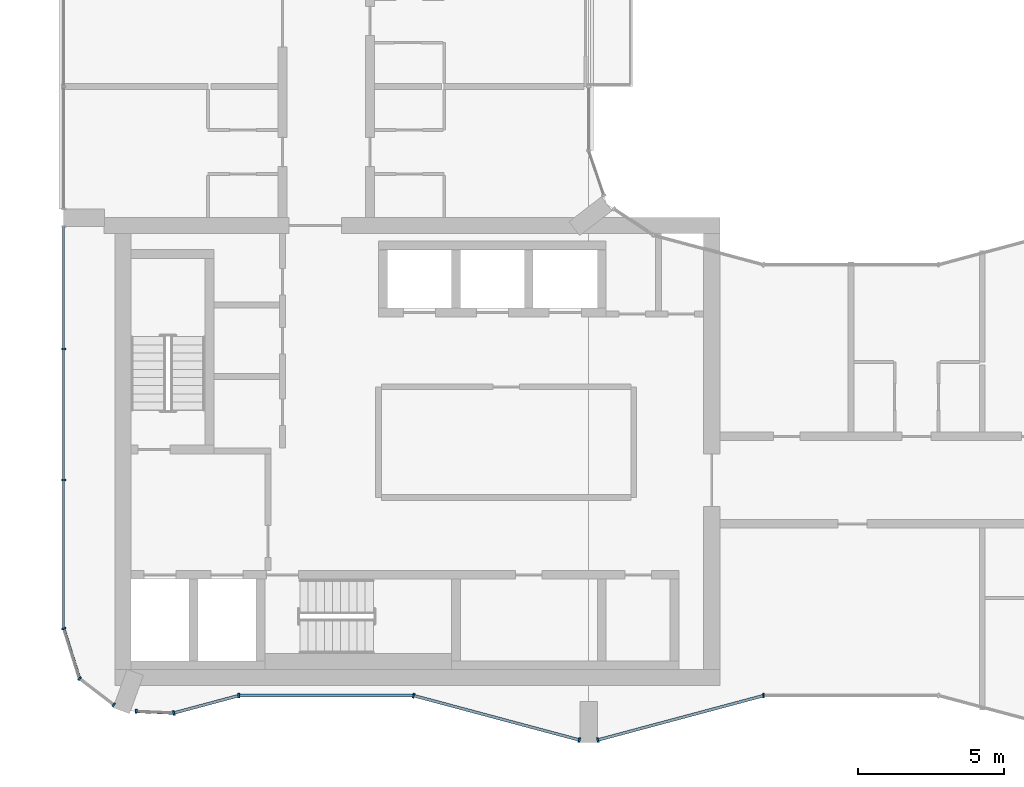
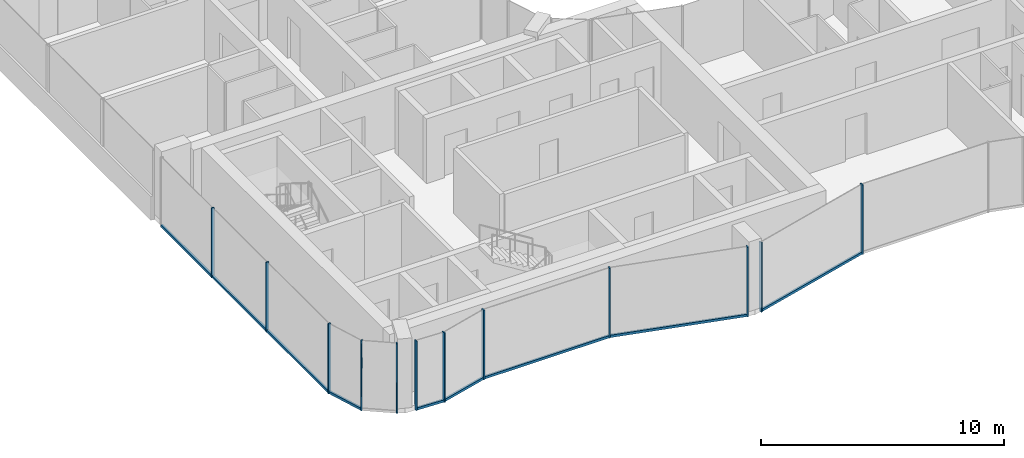
# One storey, part 2 of 15: 19 members, 9 elements without a shape of their own.
"""IFC4 building model written with IfcOpenShell, lengths in metres."""

from ifc_helpers import new_model, si_unit, direction, frame, origin, origin_2d, place, context, subcontext, project, spatial, rectangle, extrude, material, layer, layer_set, material_profile, profile_set, type_object, element, aggregate, save


model = new_model("IFC4")

# Units and contexts
model_context = context("Model", 3, precision=1e-05, world=origin(), true_north=direction((0.0, 1.0)))
body_context = subcontext(model_context, "Body", "Model", "MODEL_VIEW")
ifc_project = project(units=[si_unit("LENGTHUNIT", "METRE"), si_unit("AREAUNIT", "SQUARE_METRE"), si_unit("VOLUMEUNIT", "CUBIC_METRE"), si_unit("PLANEANGLEUNIT", "RADIAN"), si_unit("MASSUNIT", "GRAM", prefix="KILO")], contexts=[model_context])

# Site, building, storey
site_placement = place(None, origin())
site = spatial("IfcSite", under=ifc_project, at=site_placement, CompositionType="ELEMENT")
building_placement = place(site_placement, origin())
building = spatial("IfcBuilding", under=site, at=building_placement, Name="Plateau Cross Towers", CompositionType="ELEMENT")
storey_placement = place(building_placement, frame((0.0, 0.0, 177.89990234375)))
storey = spatial("IfcBuildingStorey", under=building, at=storey_placement, Name="L46", CompositionType="ELEMENT", Elevation=177.89990234375)

# Curtain wall, members
ifc_material_1 = material(Name="Dark low-iron glass", Category="glass")
ifc_layer_1 = layer(ifc_material_1, 0.239990234375)
ifc_layer_set_1 = layer_set([ifc_layer_1], Name="Dark low-iron glass")
curtain_wall_type_1 = type_object("IfcCurtainWallType", Name="Curtain wall flush unitised CW-B", PredefinedType="NOTDEFINED", material=ifc_layer_set_1)
curtain_wall_1_placement = place(storey_placement, origin())
curtain_wall_1 = element("IfcCurtainWall", 1, at=curtain_wall_1_placement, inside=storey, type_object=curtain_wall_type_1, Name="ENV/A/L46/A0_177", PredefinedType="NOTDEFINED")
ifc_material_2 = material(Name="Black anodised aluminium", Category="aluminium")
ifc_material_profile_1 = material_profile(ifc_material_2, rectangle(XDim=0.06005859375, YDim=0.139892578125, at=origin_2d()), Name="MULLION 60x140")
ifc_profile_set_1 = profile_set([ifc_material_profile_1], Name="Black anodised aluminium")
member_type_1 = type_object("IfcMemberType", Name="Mullion 60x140 flush unitised", PredefinedType="MULLION", material=ifc_profile_set_1)
member_1_placement = place(storey_placement, frame((0.0, 13.5, -0.25), z_axis=(0.0, 0.0, 1.0), x_axis=(0.0, -1.0, 0.0)))
member_1 = element("IfcMember", 2, at=member_1_placement, type_object=member_type_1, Name="CW-B mullion 2", PredefinedType="MULLION", context=body_context, shape_type="SweptSolid", body=[
    extrude(rectangle(XDim=0.06005859375, YDim=0.139892578125, at=origin_2d()), origin(), (0.0, 0.0, 1.0), 3.5),
])
member_2_placement = place(storey_placement, frame((0.0, 9.0, -0.25), z_axis=(0.0, 0.0, 1.0), x_axis=(0.0, -1.0, 0.0)))
member_2 = element("IfcMember", 3, at=member_2_placement, type_object=member_type_1, Name="CW-B mullion 3", PredefinedType="MULLION", context=body_context, shape_type="SweptSolid", body=[
    extrude(rectangle(XDim=0.06005859375, YDim=0.139892578125, at=origin_2d()), origin(), (0.0, 0.0, 1.0), 3.5),
])

# Curtain wall, member
curtain_wall_2_placement = place(storey_placement, origin())
curtain_wall_2 = element("IfcCurtainWall", 4, at=curtain_wall_2_placement, inside=storey, type_object=curtain_wall_type_1, Name="ENV/A/L46/A0_39", PredefinedType="NOTDEFINED")
member_3_placement = place(storey_placement, frame((0.0, 3.9091796875, -0.25), z_axis=(0.0, 0.0, 1.0), x_axis=(0.300686174994, -0.95372313811, 0.0)))
member_3 = element("IfcMember", 5, at=member_3_placement, type_object=member_type_1, Name="CW-B mullion 1", PredefinedType="MULLION", context=body_context, shape_type="SweptSolid", body=[
    extrude(rectangle(XDim=0.06005859375, YDim=0.139892578125, at=origin_2d()), origin(), (0.0, 0.0, 1.0), 3.5),
])

# Curtain wall, members
curtain_wall_3_placement = place(storey_placement, origin())
curtain_wall_3 = element("IfcCurtainWall", 6, at=curtain_wall_3_placement, inside=storey, type_object=curtain_wall_type_1, Name="ENV/A/L46/A5_22", PredefinedType="NOTDEFINED")
member_4_placement = place(storey_placement, frame((0.54248046875, 2.1884765625, -0.25), z_axis=(0.0, 0.0, 1.0), x_axis=(0.793315514529, -0.608810721331, 0.0)))
member_4 = element("IfcMember", 7, at=member_4_placement, type_object=member_type_1, Name="CW-B mullion 1", PredefinedType="MULLION", context=body_context, shape_type="SweptSolid", body=[
    extrude(rectangle(XDim=0.06005859375, YDim=0.139892578125, at=origin_2d()), origin(), (0.0, 0.0, 1.0), 3.5),
])
member_5_placement = place(storey_placement, frame((1.709716796875, 1.292724609375, -0.25), z_axis=(0.0, 0.0, 1.0), x_axis=(0.793315514529, -0.608810721331, 0.0)))
member_5 = element("IfcMember", 8, at=member_5_placement, type_object=member_type_1, Name="CW-B mullion 2", PredefinedType="MULLION", context=body_context, shape_type="SweptSolid", body=[
    extrude(rectangle(XDim=0.06005859375, YDim=0.139892578125, at=origin_2d()), origin(), (0.0, 0.0, 1.0), 3.5),
])
aggregate(curtain_wall_3, [member_4, member_5])

# Curtain wall, member
curtain_wall_4_placement = place(storey_placement, origin())
curtain_wall_4 = element("IfcCurtainWall", 9, at=curtain_wall_4_placement, inside=storey, type_object=curtain_wall_type_1, Name="ENV/A/L46/A25_11", PredefinedType="NOTDEFINED")
member_6_placement = place(storey_placement, frame((2.483642578125, 1.06787109375, -0.25), z_axis=(0.0, 0.0, 1.0), x_axis=(0.999043701491, -0.043722791671, 0.0)))
member_6 = element("IfcMember", 10, at=member_6_placement, type_object=member_type_1, Name="CW-B mullion 1", PredefinedType="MULLION", context=body_context, shape_type="SweptSolid", body=[
    extrude(rectangle(XDim=0.06005859375, YDim=0.139892578125, at=origin_2d()), origin(), (0.0, 0.0, 1.0), 3.5),
])

ifc_layer_2 = layer(ifc_material_1, 0.260009765625)
ifc_layer_set_2 = layer_set([ifc_layer_2], Name="Dark low-iron glass")
curtain_wall_type_2 = type_object("IfcCurtainWallType", Name="Curtain wall fluted unitised CW-A", PredefinedType="NOTDEFINED", material=ifc_layer_set_2)
curtain_wall_5_placement = place(storey_placement, origin())
curtain_wall_5 = element("IfcCurtainWall", 11, at=curtain_wall_5_placement, inside=storey, type_object=curtain_wall_type_2, Name="ENV/A/L46/A38_10", PredefinedType="NOTDEFINED")
ifc_material_profile_2 = material_profile(ifc_material_2, rectangle(XDim=0.06005859375, YDim=0.159912109375, at=origin_2d()), Name="MULLION 60x160")
ifc_profile_set_2 = profile_set([ifc_material_profile_2], Name="Black anodised aluminium")
member_type_2 = type_object("IfcMemberType", Name="Mullion 60x160 fluted unitised", PredefinedType="MULLION", material=ifc_profile_set_2)
member_7_placement = place(storey_placement, frame((3.776123046875, 1.01123046875, -0.25), z_axis=(0.0, 0.0, 1.0), x_axis=(0.965957962328, 0.258699081978, 0.0)))
member_7 = element("IfcMember", 12, at=member_7_placement, type_object=member_type_2, Name="CW-A mullion 1", PredefinedType="MULLION", context=body_context, shape_type="SweptSolid", body=[
    extrude(rectangle(XDim=0.06005859375, YDim=0.159912109375, at=origin_2d()), origin(), (0.0, 0.0, 1.0), 3.5),
])

curtain_wall_6_placement = place(storey_placement, origin())
curtain_wall_6 = element("IfcCurtainWall", 13, at=curtain_wall_6_placement, inside=storey, type_object=curtain_wall_type_2, Name="ENV/A/L46/A60_16", PredefinedType="NOTDEFINED")
member_8_placement = place(storey_placement, frame((6.0, 1.60693359375, -0.25), z_axis=(0.0, 0.0, 1.0), x_axis=(1.0, 0.0, 0.0)))
member_8 = element("IfcMember", 14, at=member_8_placement, type_object=member_type_2, Name="CW-A mullion 1", PredefinedType="MULLION", context=body_context, shape_type="SweptSolid", body=[
    extrude(rectangle(XDim=0.06005859375, YDim=0.159912109375, at=origin_2d()), origin(), (0.0, 0.0, 1.0), 3.5),
])

# Curtain wall, members
curtain_wall_7_placement = place(storey_placement, origin())
curtain_wall_7 = element("IfcCurtainWall", 15, at=curtain_wall_7_placement, inside=storey, type_object=curtain_wall_type_2, Name="ENV/A/L46/A120_16", PredefinedType="NOTDEFINED")
member_9_placement = place(storey_placement, frame((12.0, 1.60693359375, -0.25), z_axis=(0.0, 0.0, 1.0), x_axis=(0.965957983404, -0.258699003279, 0.0)))
member_9 = element("IfcMember", 16, at=member_9_placement, type_object=member_type_2, Name="CW-A mullion 1", PredefinedType="MULLION", context=body_context, shape_type="SweptSolid", body=[
    extrude(rectangle(XDim=0.06005859375, YDim=0.159912109375, at=origin_2d()), origin(), (0.0, 0.0, 1.0), 3.5),
])
member_10_placement = place(storey_placement, frame((17.68212890625, 0.085205078125, -0.25), z_axis=(0.0, 0.0, 1.0), x_axis=(0.965957983404, -0.258699003279, 0.0)))
member_10 = element("IfcMember", 17, at=member_10_placement, type_object=member_type_2, Name="CW-A mullion 2", PredefinedType="MULLION", context=body_context, shape_type="SweptSolid", body=[
    extrude(rectangle(XDim=0.06005859375, YDim=0.159912109375, at=origin_2d()), origin(), (0.0, 0.0, 1.0), 3.5),
])

# Curtain wall, member
curtain_wall_8_placement = place(storey_placement, origin())
curtain_wall_8 = element("IfcCurtainWall", 18, at=curtain_wall_8_placement, inside=storey, type_object=curtain_wall_type_2, Name="ENV/A/L46/A183_1", PredefinedType="NOTDEFINED")
member_11_placement = place(storey_placement, frame((18.31787109375, 0.085205078125, -0.25), z_axis=(0.0, 0.0, 1.0), x_axis=(0.965957983404, 0.258699003279, 0.0)))
member_11 = element("IfcMember", 19, at=member_11_placement, type_object=member_type_2, Name="CW-A mullion 1", PredefinedType="MULLION", context=body_context, shape_type="SweptSolid", body=[
    extrude(rectangle(XDim=0.06005859375, YDim=0.159912109375, at=origin_2d()), origin(), (0.0, 0.0, 1.0), 3.5),
])

curtain_wall_9_placement = place(storey_placement, origin())
curtain_wall_9 = element("IfcCurtainWall", 20, at=curtain_wall_9_placement, inside=storey, type_object=curtain_wall_type_2, Name="ENV/A/L46/A240_16", PredefinedType="NOTDEFINED")
member_12_placement = place(storey_placement, frame((24.0, 1.60693359375, -0.25), z_axis=(0.0, 0.0, 1.0), x_axis=(1.0, 0.0, 0.0)))
member_12 = element("IfcMember", 21, at=member_12_placement, type_object=member_type_2, Name="CW-A mullion 1", PredefinedType="MULLION", context=body_context, shape_type="SweptSolid", body=[
    extrude(rectangle(XDim=0.06005859375, YDim=0.159912109375, at=origin_2d()), origin(), (0.0, 0.0, 1.0), 3.5),
])
aggregate(curtain_wall_9, [member_12])

# Member
ifc_material_profile_3 = material_profile(ifc_material_2, rectangle(XDim=0.10009765625, YDim=0.1201171875, at=origin_2d()), Name="TRANSOM 100x120")
ifc_profile_set_3 = profile_set([ifc_material_profile_3], Name="Black anodised aluminium")
member_type_3 = type_object("IfcMemberType", Name="Transom 100x120 flush unitised", PredefinedType="USERDEFINED", material=ifc_profile_set_3)
member_13_placement = place(storey_placement, frame((0.0, 17.699951171875, -0.18994140625), z_axis=(0.0, -1.0, 0.0), x_axis=(1.0, 0.0, 0.0)))
member_13 = element("IfcMember", 22, at=member_13_placement, type_object=member_type_3, Name="CW-B transom", ObjectType="TRANSOM", PredefinedType="USERDEFINED", context=body_context, shape_type="SweptSolid", body=[
    extrude(rectangle(XDim=0.10009765625, YDim=0.1201171875, at=origin_2d()), origin(), (0.0, 0.0, 1.0), 13.790771484375),
])

aggregate(curtain_wall_1, [member_1, member_2, member_13])

member_14_placement = place(storey_placement, frame((0.0, 3.9091796875, -0.18994140625), z_axis=(0.30067799945, -0.953725715626, 0.0), x_axis=(0.953725715626, 0.30067799945, 0.0)))
member_14 = element("IfcMember", 23, at=member_14_placement, type_object=member_type_3, Name="CW-B transom", ObjectType="TRANSOM", PredefinedType="USERDEFINED", context=body_context, shape_type="SweptSolid", body=[
    extrude(rectangle(XDim=0.10009765625, YDim=0.1201171875, at=origin_2d()), origin(), (0.0, 0.0, 1.0), 1.80419921875),
])

aggregate(curtain_wall_2, [member_3, member_14])

member_15_placement = place(storey_placement, frame((2.483642578125, 1.06787109375, -0.18994140625), z_axis=(0.999041144614, -0.043781175963, 0.0), x_axis=(0.043781175963, 0.999041144614, 0.0)))
member_15 = element("IfcMember", 24, at=member_15_placement, type_object=member_type_3, Name="CW-B transom", ObjectType="TRANSOM", PredefinedType="USERDEFINED", context=body_context, shape_type="SweptSolid", body=[
    extrude(rectangle(XDim=0.10009765625, YDim=0.1201171875, at=origin_2d()), origin(), (0.0, 0.0, 1.0), 1.293701171875),
])

aggregate(curtain_wall_4, [member_6, member_15])

ifc_material_profile_4 = material_profile(ifc_material_2, rectangle(XDim=0.10009765625, YDim=0.1201171875, at=origin_2d()), Name="TRANSOM 100x120")
ifc_profile_set_4 = profile_set([ifc_material_profile_4], Name="Black anodised aluminium")
member_type_4 = type_object("IfcMemberType", Name="Transom 100x120 fluted unitised", PredefinedType="USERDEFINED", material=ifc_profile_set_4)
member_16_placement = place(storey_placement, frame((3.776123046875, 1.01123046875, -0.18994140625), z_axis=(0.965945685136, 0.258744919501, 0.0), x_axis=(-0.258744919501, 0.965945685136, 0.0)))
member_16 = element("IfcMember", 25, at=member_16_placement, type_object=member_type_4, Name="CW-A transom", ObjectType="TRANSOM", PredefinedType="USERDEFINED", context=body_context, shape_type="SweptSolid", body=[
    extrude(rectangle(XDim=0.10009765625, YDim=0.1201171875, at=origin_2d()), origin(), (0.0, 0.0, 1.0), 2.30224609375),
])

aggregate(curtain_wall_5, [member_7, member_16])

member_17_placement = place(storey_placement, frame((6.0, 1.60693359375, -0.18994140625), z_axis=(1.0, 0.0, 0.0), x_axis=(0.0, 1.0, 0.0)))
member_17 = element("IfcMember", 26, at=member_17_placement, type_object=member_type_4, Name="CW-A transom", ObjectType="TRANSOM", PredefinedType="USERDEFINED", context=body_context, shape_type="SweptSolid", body=[
    extrude(rectangle(XDim=0.10009765625, YDim=0.1201171875, at=origin_2d()), origin(), (0.0, 0.0, 1.0), 6.0),
])

aggregate(curtain_wall_6, [member_8, member_17])

member_18_placement = place(storey_placement, frame((12.0, 1.60693359375, -0.18994140625), z_axis=(0.965959534794, -0.258693210465, 0.0), x_axis=(0.258693210465, 0.965959534794, 0.0)))
member_18 = element("IfcMember", 27, at=member_18_placement, type_object=member_type_4, Name="CW-A transom", ObjectType="TRANSOM", PredefinedType="USERDEFINED", context=body_context, shape_type="SweptSolid", body=[
    extrude(rectangle(XDim=0.10009765625, YDim=0.1201171875, at=origin_2d()), origin(), (0.0, 0.0, 1.0), 5.88232421875),
])

aggregate(curtain_wall_7, [member_9, member_10, member_18])

member_19_placement = place(storey_placement, frame((18.31787109375, 0.085205078125, -0.18994140625), z_axis=(0.965959534794, 0.258693210465, 0.0), x_axis=(-0.258693210465, 0.965959534794, 0.0)))
member_19 = element("IfcMember", 28, at=member_19_placement, type_object=member_type_4, Name="CW-A transom", ObjectType="TRANSOM", PredefinedType="USERDEFINED", context=body_context, shape_type="SweptSolid", body=[
    extrude(rectangle(XDim=0.10009765625, YDim=0.1201171875, at=origin_2d()), origin(), (0.0, 0.0, 1.0), 5.88232421875),
])

aggregate(curtain_wall_8, [member_11, member_19])

save(model, "model.ifc")
